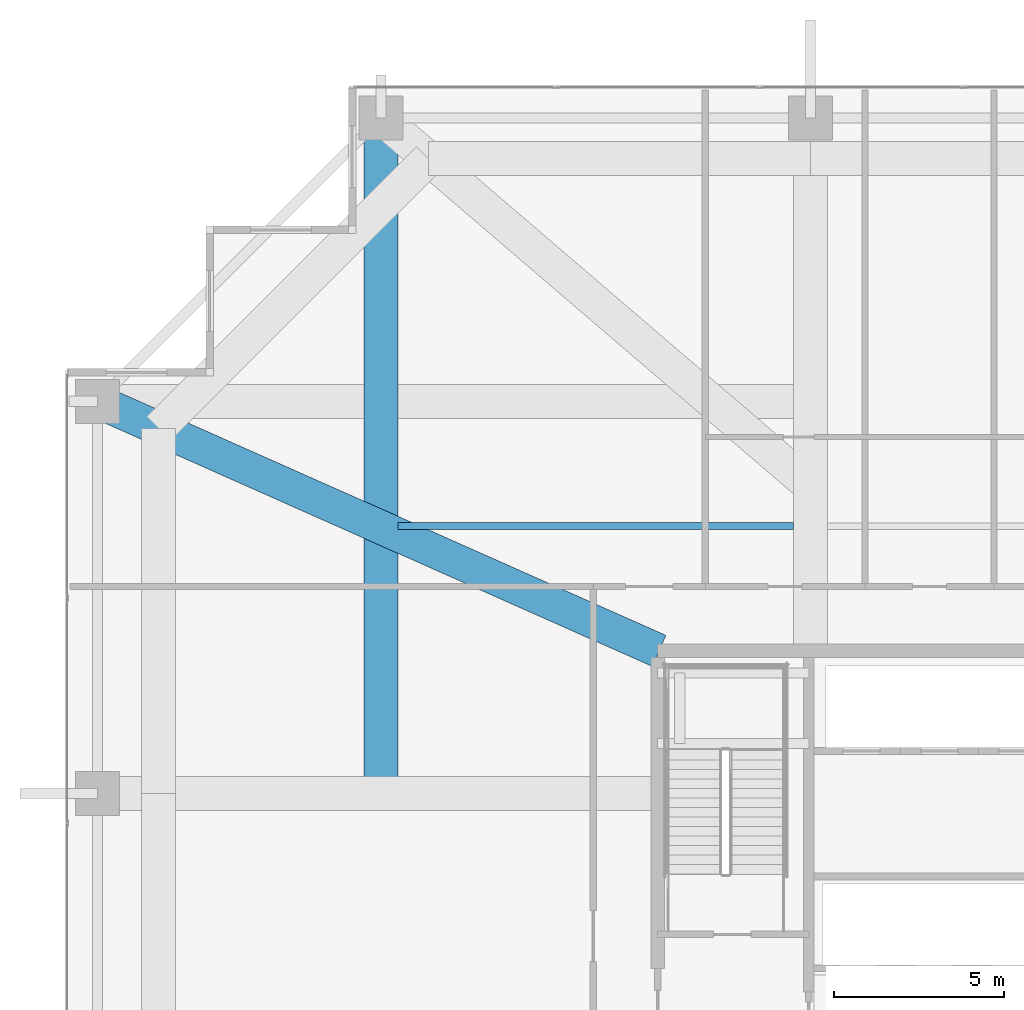
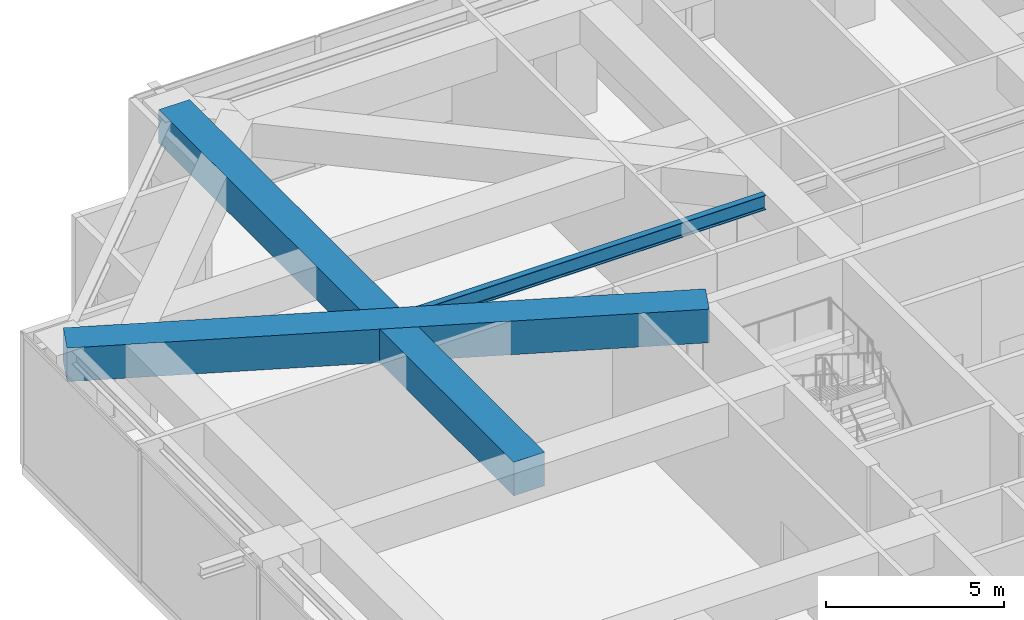
# One storey, part 19 of 35: 3 beams.
"""IFC4 building model written with IfcOpenShell, lengths in metres."""

from ifc_helpers import new_model, si_unit, direction, frame, origin, origin_2d, place, context, subcontext, project, spatial, rectangle, i_section, extrude, source, transform, mapped, material, material_profile, profile_set, type_object, element, save


model = new_model("IFC4")

# Units and contexts
model_context = context("Model", 3, precision=1e-05, world=origin(), true_north=direction((0.0, 1.0)))
body_context = subcontext(model_context, "Body", "Model", "MODEL_VIEW")
ifc_project = project(units=[si_unit("LENGTHUNIT", "METRE"), si_unit("AREAUNIT", "SQUARE_METRE"), si_unit("VOLUMEUNIT", "CUBIC_METRE"), si_unit("PLANEANGLEUNIT", "RADIAN"), si_unit("MASSUNIT", "GRAM", prefix="KILO")], contexts=[model_context])

# Site, building, storey
site_placement = place(None, origin())
site = spatial("IfcSite", under=ifc_project, at=site_placement, CompositionType="ELEMENT")
building_placement = place(site_placement, origin())
building = spatial("IfcBuilding", under=site, at=building_placement, Name="Serunith Strait Residences", CompositionType="ELEMENT")
storey_placement = place(building_placement, frame((0.0, 0.0, 115.199951171875)))
storey = spatial("IfcBuildingStorey", under=building, at=storey_placement, Name="L28", CompositionType="ELEMENT", Elevation=115.199951171875)

# Beams
ifc_material_1 = material(Name="Concrete C80/95", Category="concrete")
ifc_material_profile_1 = material_profile(ifc_material_1, rectangle(XDim=1.0, YDim=1.14990234375, at=origin_2d()), Name="RC 1000x1150")
ifc_profile_set_1 = profile_set([ifc_material_profile_1], Name="Concrete C80/95")
beam_type_1 = type_object("IfcBeamType", Name="BM-XFER-1000x1150", PredefinedType="BEAM", material=ifc_profile_set_1)
shared_shape_1 = source(origin(), body_context, "Body", "SweptSolid", [
    extrude(rectangle(XDim=1.0, YDim=1.14990234375, at=origin_2d()), origin(), (0.0, 0.0, 1.0), 19.900146484375),
])
beam_1_placement = place(storey_placement, frame((15.25, 29.39990234375, 3.93505859375), z_axis=(0.0, 1.0, 0.0), x_axis=(-1.0, 0.0, 0.0)))
element("IfcBeam", 1, at=beam_1_placement, inside=storey, type_object=beam_type_1, Name="L28 Orthogonal Corner Girder TC-N1", PredefinedType="BEAM", context=body_context, shape_type="MappedRepresentation", body=[
    mapped(shared_shape_1, transform((0.0, 0.0, 0.0), scale=1.0)),
])
shared_shape_2 = source(origin(), body_context, "Body", "SweptSolid", [
    extrude(rectangle(XDim=1.0, YDim=1.14990234375, at=origin_2d()), origin(), (0.0, 0.0, 1.0), 18.097412109375),
])
beam_2_placement = place(storey_placement, frame((6.89990234375, 40.949951171875, 3.93505859375), z_axis=(0.913815442726, -0.406129704202, 0.0), x_axis=(0.406129704202, 0.913815442726, 0.0)))
element("IfcBeam", 2, at=beam_2_placement, inside=storey, type_object=beam_type_1, Name="L28 Diagonal Corner Transfer Girder TC-W4", PredefinedType="BEAM", context=body_context, shape_type="MappedRepresentation", body=[
    mapped(shared_shape_2, transform((0.0, 0.0, 0.0), scale=1.0)),
])
ifc_material_2 = material(Name="Steel S355J2", Category="steel")
ifc_material_profile_2 = material_profile(ifc_material_2, i_section(OverallWidth=0.199951171875, OverallDepth=0.5, WebThickness=0.01025390625, FlangeThickness=0.01611328125, FilletRadius=0.02099609375, at=origin_2d()), Name="IPE 500")
ifc_profile_set_2 = profile_set([ifc_material_profile_2], Name="Steel S355J2")
beam_type_2 = type_object("IfcBeamType", Name="BM-IPE500", PredefinedType="JOIST", material=ifc_profile_set_2)
shared_shape_3 = source(origin(), body_context, "Body", "SweptSolid", [
    extrude(i_section(OverallWidth=0.199951171875, OverallDepth=0.5, WebThickness=0.01025390625, FlangeThickness=0.01611328125, FilletRadius=0.02099609375, at=origin_2d()), origin(), (0.0, 0.0, 1.0), 11.64990234375),
])
beam_3_placement = place(storey_placement, frame((15.75, 37.27490234375, 4.257080078125), z_axis=(1.0, 0.0, 0.0), x_axis=(0.0, 1.0, 0.0)))
element("IfcBeam", 3, at=beam_3_placement, inside=storey, type_object=beam_type_2, Name="L28 Composite Floor Joist 04", PredefinedType="JOIST", context=body_context, shape_type="MappedRepresentation", body=[
    mapped(shared_shape_3, transform((0.0, 0.0, 0.0), scale=1.0)),
])

save(model, "model.ifc")
